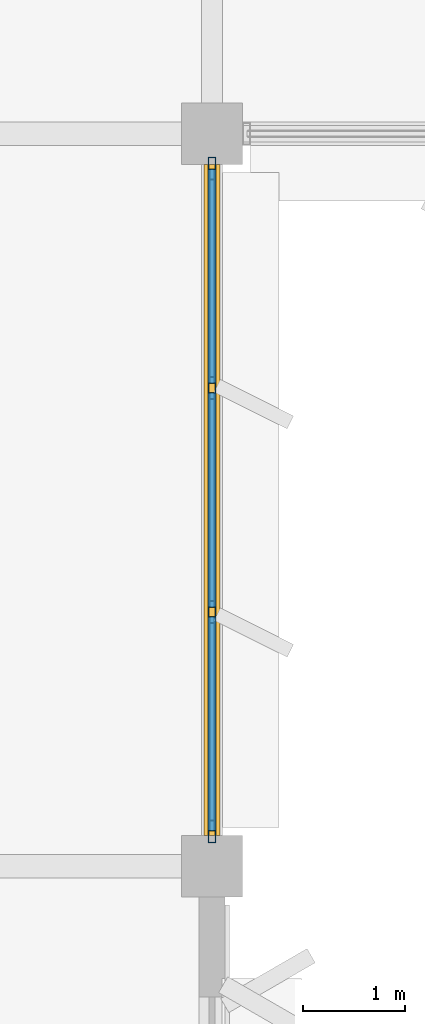
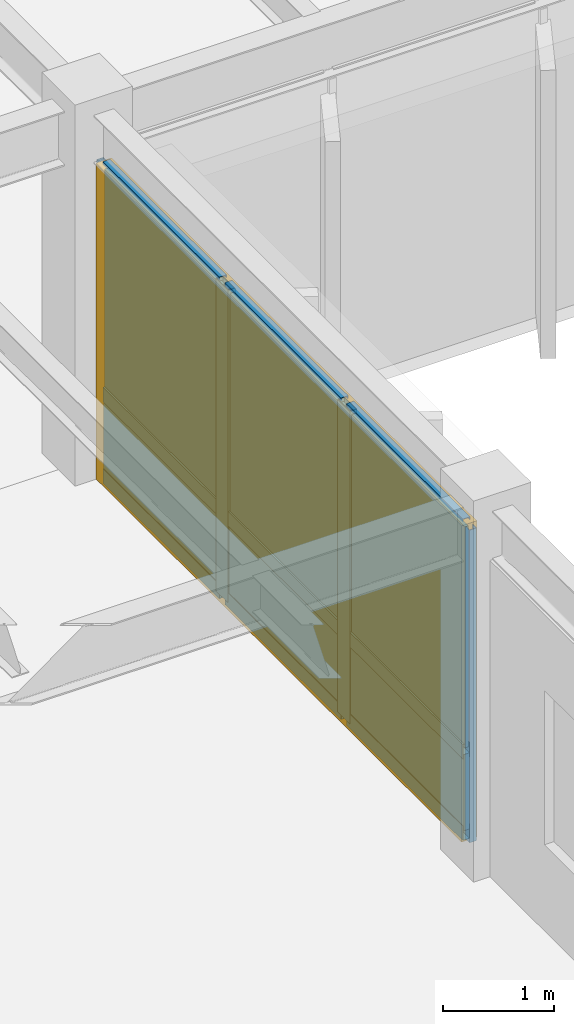
# One storey, part 53 of 85: 13 members, 6 plates, 1 curtain wall.
"""IFC4 building model written with IfcOpenShell, lengths in metres."""

from ifc_helpers import new_model, si_unit, direction, frame, origin, origin_2d, place, context, subcontext, project, spatial, rectangle, hollow_rectangle, extrude, material, layer, layer_set, material_profile, profile_set, type_object, element, aggregate, save


model = new_model("IFC4")

# Units and contexts
model_context = context("Model", 3, precision=1e-05, world=origin(), true_north=direction((0.0, 1.0)))
body_context = subcontext(model_context, "Body", "Model", "MODEL_VIEW")
ifc_project = project(units=[si_unit("LENGTHUNIT", "METRE"), si_unit("AREAUNIT", "SQUARE_METRE"), si_unit("VOLUMEUNIT", "CUBIC_METRE"), si_unit("PLANEANGLEUNIT", "RADIAN"), si_unit("MASSUNIT", "GRAM", prefix="KILO")], contexts=[model_context])

# Member
ifc_material_1 = material(Name="Anodized Aluminium 6063-T6", Category="aluminium")
ifc_material_profile_1 = material_profile(ifc_material_1, hollow_rectangle(XDim=0.074951171875, YDim=0.219970703125, WallThickness=0.0048828125, at=origin_2d()), Name="ALU 75x220x5")
ifc_profile_set_1 = profile_set([ifc_material_profile_1], Name="Anodized Aluminium 6063-T6")
member_type_1 = type_object("IfcMemberType", Name="CWM-75X180", PredefinedType="MULLION", material=ifc_profile_set_1)
site_placement = place(None, origin())
building_placement = place(site_placement, origin())
storey_placement = place(building_placement, frame((0.0, 0.0, 9.89990234375)))
member_1_placement = place(storey_placement, frame((36.0, 78.860107421875, 0.02001953125), z_axis=(0.0, 0.0, 1.0), x_axis=(1.0, 0.0, 0.0)))
member_1 = element("IfcMember", 1, at=member_1_placement, type_object=member_type_1, Name="Curtain wall mullion CW-L03-04-10-E-00", PredefinedType="MULLION", context=body_context, shape_type="SweptSolid", body=[
    extrude(hollow_rectangle(XDim=0.074951171875, YDim=0.219970703125, WallThickness=0.0048828125, at=origin_2d()), origin(), (0.0, 0.0, 1.0), 3.447021484375),
])

member_2_placement = place(storey_placement, frame((36.0, 76.699951171875, 0.02001953125), z_axis=(0.0, 0.0, 1.0), x_axis=(1.0, 0.0, 0.0)))
member_2 = element("IfcMember", 2, at=member_2_placement, type_object=member_type_1, Name="Curtain wall mullion CW-L03-04-10-E-01", PredefinedType="MULLION", context=body_context, shape_type="SweptSolid", body=[
    extrude(hollow_rectangle(XDim=0.074951171875, YDim=0.219970703125, WallThickness=0.0048828125, at=origin_2d()), origin(), (0.0, 0.0, 1.0), 3.447021484375),
])

member_3_placement = place(storey_placement, frame((36.0, 74.5, 0.02001953125), z_axis=(0.0, 0.0, 1.0), x_axis=(1.0, 0.0, 0.0)))
member_3 = element("IfcMember", 3, at=member_3_placement, type_object=member_type_1, Name="Curtain wall mullion CW-L03-04-10-E-02", PredefinedType="MULLION", context=body_context, shape_type="SweptSolid", body=[
    extrude(hollow_rectangle(XDim=0.074951171875, YDim=0.219970703125, WallThickness=0.0048828125, at=origin_2d()), origin(), (0.0, 0.0, 1.0), 3.447021484375),
])

member_4_placement = place(storey_placement, frame((36.0, 72.340087890625, 0.02001953125), z_axis=(0.0, 0.0, 1.0), x_axis=(1.0, 0.0, 0.0)))
member_4 = element("IfcMember", 4, at=member_4_placement, type_object=member_type_1, Name="Curtain wall mullion CW-L03-04-10-E-03", PredefinedType="MULLION", context=body_context, shape_type="SweptSolid", body=[
    extrude(hollow_rectangle(XDim=0.074951171875, YDim=0.219970703125, WallThickness=0.0048828125, at=origin_2d()), origin(), (0.0, 0.0, 1.0), 3.447021484375),
])

ifc_material_profile_2 = material_profile(ifc_material_1, hollow_rectangle(XDim=0.074951171875, YDim=0.159912109375, WallThickness=0.00390625, at=origin_2d()), Name="ALU 75x160x4")
ifc_profile_set_2 = profile_set([ifc_material_profile_2], Name="Anodized Aluminium 6063-T6")
member_type_2 = type_object("IfcMemberType", Name="CWT-75X150", PredefinedType="USERDEFINED", material=ifc_profile_set_2)
member_5_placement = place(storey_placement, frame((36.0, 78.85009765625, 0.050048828125), z_axis=(0.0, -1.0, 0.0), x_axis=(1.0, 0.0, 0.0)))
member_5 = element("IfcMember", 5, at=member_5_placement, type_object=member_type_2, Name="Curtain wall transom CW-L03-04-10-E-1.01", ObjectType="TRANSOM", PredefinedType="USERDEFINED", context=body_context, shape_type="SweptSolid", body=[
    extrude(hollow_rectangle(XDim=0.074951171875, YDim=0.159912109375, WallThickness=0.00390625, at=origin_2d()), origin(), (0.0, 0.0, 1.0), 2.10009765625),
])

member_6_placement = place(storey_placement, frame((36.0, 76.64990234375, 0.050048828125), z_axis=(0.0, -1.0, 0.0), x_axis=(1.0, 0.0, 0.0)))
member_6 = element("IfcMember", 6, at=member_6_placement, type_object=member_type_2, Name="Curtain wall transom CW-L03-04-10-E-1.02", ObjectType="TRANSOM", PredefinedType="USERDEFINED", context=body_context, shape_type="SweptSolid", body=[
    extrude(hollow_rectangle(XDim=0.074951171875, YDim=0.159912109375, WallThickness=0.00390625, at=origin_2d()), origin(), (0.0, 0.0, 1.0), 2.099853515625),
])

member_7_placement = place(storey_placement, frame((36.0, 74.449951171875, 0.050048828125), z_axis=(0.0, -1.0, 0.0), x_axis=(1.0, 0.0, 0.0)))
member_7 = element("IfcMember", 7, at=member_7_placement, type_object=member_type_2, Name="Curtain wall transom CW-L03-04-10-E-1.03", ObjectType="TRANSOM", PredefinedType="USERDEFINED", context=body_context, shape_type="SweptSolid", body=[
    extrude(hollow_rectangle(XDim=0.074951171875, YDim=0.159912109375, WallThickness=0.00390625, at=origin_2d()), origin(), (0.0, 0.0, 1.0), 2.099853515625),
])

member_8_placement = place(storey_placement, frame((36.0, 78.85009765625, 0.9501953125), z_axis=(0.0, -1.0, 0.0), x_axis=(1.0, 0.0, 0.0)))
member_8 = element("IfcMember", 8, at=member_8_placement, type_object=member_type_2, Name="Curtain wall transom CW-L03-04-10-E-2.01", ObjectType="TRANSOM", PredefinedType="USERDEFINED", context=body_context, shape_type="SweptSolid", body=[
    extrude(hollow_rectangle(XDim=0.074951171875, YDim=0.159912109375, WallThickness=0.00390625, at=origin_2d()), origin(), (0.0, 0.0, 1.0), 2.10009765625),
])

member_9_placement = place(storey_placement, frame((36.0, 76.64990234375, 0.9501953125), z_axis=(0.0, -1.0, 0.0), x_axis=(1.0, 0.0, 0.0)))
member_9 = element("IfcMember", 9, at=member_9_placement, type_object=member_type_2, Name="Curtain wall transom CW-L03-04-10-E-2.02", ObjectType="TRANSOM", PredefinedType="USERDEFINED", context=body_context, shape_type="SweptSolid", body=[
    extrude(hollow_rectangle(XDim=0.074951171875, YDim=0.159912109375, WallThickness=0.00390625, at=origin_2d()), origin(), (0.0, 0.0, 1.0), 2.099853515625),
])

member_10_placement = place(storey_placement, frame((36.0, 74.449951171875, 0.9501953125), z_axis=(0.0, -1.0, 0.0), x_axis=(1.0, 0.0, 0.0)))
member_10 = element("IfcMember", 10, at=member_10_placement, type_object=member_type_2, Name="Curtain wall transom CW-L03-04-10-E-2.03", ObjectType="TRANSOM", PredefinedType="USERDEFINED", context=body_context, shape_type="SweptSolid", body=[
    extrude(hollow_rectangle(XDim=0.074951171875, YDim=0.159912109375, WallThickness=0.00390625, at=origin_2d()), origin(), (0.0, 0.0, 1.0), 2.099853515625),
])

member_11_placement = place(storey_placement, frame((36.0, 78.85009765625, 3.43701171875), z_axis=(0.0, -1.0, 0.0), x_axis=(1.0, 0.0, 0.0)))
member_11 = element("IfcMember", 11, at=member_11_placement, type_object=member_type_2, Name="Curtain wall transom CW-L03-04-10-E-3.01", ObjectType="TRANSOM", PredefinedType="USERDEFINED", context=body_context, shape_type="SweptSolid", body=[
    extrude(hollow_rectangle(XDim=0.074951171875, YDim=0.159912109375, WallThickness=0.00390625, at=origin_2d()), origin(), (0.0, 0.0, 1.0), 2.10009765625),
])

member_12_placement = place(storey_placement, frame((36.0, 76.64990234375, 3.43701171875), z_axis=(0.0, -1.0, 0.0), x_axis=(1.0, 0.0, 0.0)))
member_12 = element("IfcMember", 12, at=member_12_placement, type_object=member_type_2, Name="Curtain wall transom CW-L03-04-10-E-3.02", ObjectType="TRANSOM", PredefinedType="USERDEFINED", context=body_context, shape_type="SweptSolid", body=[
    extrude(hollow_rectangle(XDim=0.074951171875, YDim=0.159912109375, WallThickness=0.00390625, at=origin_2d()), origin(), (0.0, 0.0, 1.0), 2.099853515625),
])

member_13_placement = place(storey_placement, frame((36.0, 74.449951171875, 3.43701171875), z_axis=(0.0, -1.0, 0.0), x_axis=(1.0, 0.0, 0.0)))
member_13 = element("IfcMember", 13, at=member_13_placement, type_object=member_type_2, Name="Curtain wall transom CW-L03-04-10-E-3.03", ObjectType="TRANSOM", PredefinedType="USERDEFINED", context=body_context, shape_type="SweptSolid", body=[
    extrude(hollow_rectangle(XDim=0.074951171875, YDim=0.159912109375, WallThickness=0.00390625, at=origin_2d()), origin(), (0.0, 0.0, 1.0), 2.099853515625),
])

# Plate
ifc_material_2 = material(Name="Acoustic Laminated Low-E Glazing", Category="glass")
ifc_layer_1 = layer(ifc_material_2, 0.0439453125)
ifc_layer_set_1 = layer_set([ifc_layer_1], Name="Acoustic Laminated Low-E Glazing")
plate_type_1 = type_object("IfcPlateType", Name="CWP-IGU-44", PredefinedType="CURTAIN_PANEL", material=ifc_layer_set_1)
plate_1_placement = place(storey_placement, frame((36.0, 77.800048828125, 0.989990234375), z_axis=(0.0, 0.0, 1.0), x_axis=(0.0, -1.0, 0.0)))
plate_1 = element("IfcPlate", 14, at=plate_1_placement, type_object=plate_type_1, Name="Curtain wall vision glazing CW-L03-04-10-E-01", PredefinedType="CURTAIN_PANEL", context=body_context, shape_type="SweptSolid", body=[
    extrude(rectangle(XDim=2.110107421875, YDim=0.0400390625, at=origin_2d()), origin(), (0.0, 0.0, 1.0), 2.43701171875),
])

plate_2_placement = place(storey_placement, frame((36.0, 75.60009765625, 0.989990234375), z_axis=(0.0, 0.0, 1.0), x_axis=(0.0, -1.0, 0.0)))
plate_2 = element("IfcPlate", 15, at=plate_2_placement, type_object=plate_type_1, Name="Curtain wall vision glazing CW-L03-04-10-E-02", PredefinedType="CURTAIN_PANEL", context=body_context, shape_type="SweptSolid", body=[
    extrude(rectangle(XDim=2.110107421875, YDim=0.0400390625, at=origin_2d()), origin(), (0.0, 0.0, 1.0), 2.43701171875),
])

plate_3_placement = place(storey_placement, frame((36.0, 73.39990234375, 0.989990234375), z_axis=(0.0, 0.0, 1.0), x_axis=(0.0, -1.0, 0.0)))
plate_3 = element("IfcPlate", 16, at=plate_3_placement, type_object=plate_type_1, Name="Curtain wall vision glazing CW-L03-04-10-E-03", PredefinedType="CURTAIN_PANEL", context=body_context, shape_type="SweptSolid", body=[
    extrude(rectangle(XDim=2.110107421875, YDim=0.0400390625, at=origin_2d()), origin(), (0.0, 0.0, 1.0), 2.43701171875),
])

ifc_material_3 = material(Name="Insulated Stone-Composite Spandrel", Category="masonry")
ifc_layer_2 = layer(ifc_material_3, 0.068115234375)
ifc_layer_set_2 = layer_set([ifc_layer_2], Name="Insulated Stone-Composite Spandrel")
plate_type_2 = type_object("IfcPlateType", Name="CWP-SPN-68", PredefinedType="CURTAIN_PANEL", material=ifc_layer_set_2)
plate_4_placement = place(storey_placement, frame((36.0, 77.800048828125, 0.080078125), z_axis=(0.0, 0.0, 1.0), x_axis=(0.0, -1.0, 0.0)))
plate_4 = element("IfcPlate", 17, at=plate_4_placement, type_object=plate_type_2, Name="Curtain wall spandrel panel CW-L03-04-10-E-01", PredefinedType="CURTAIN_PANEL", context=body_context, shape_type="SweptSolid", body=[
    extrude(rectangle(XDim=2.110107421875, YDim=0.06005859375, at=origin_2d()), origin(), (0.0, 0.0, 1.0), 0.840087890625),
])

plate_5_placement = place(storey_placement, frame((36.0, 75.60009765625, 0.080078125), z_axis=(0.0, 0.0, 1.0), x_axis=(0.0, -1.0, 0.0)))
plate_5 = element("IfcPlate", 18, at=plate_5_placement, type_object=plate_type_2, Name="Curtain wall spandrel panel CW-L03-04-10-E-02", PredefinedType="CURTAIN_PANEL", context=body_context, shape_type="SweptSolid", body=[
    extrude(rectangle(XDim=2.110107421875, YDim=0.06005859375, at=origin_2d()), origin(), (0.0, 0.0, 1.0), 0.840087890625),
])

plate_6_placement = place(storey_placement, frame((36.0, 73.39990234375, 0.080078125), z_axis=(0.0, 0.0, 1.0), x_axis=(0.0, -1.0, 0.0)))
plate_6 = element("IfcPlate", 19, at=plate_6_placement, type_object=plate_type_2, Name="Curtain wall spandrel panel CW-L03-04-10-E-03", PredefinedType="CURTAIN_PANEL", context=body_context, shape_type="SweptSolid", body=[
    extrude(rectangle(XDim=2.110107421875, YDim=0.06005859375, at=origin_2d()), origin(), (0.0, 0.0, 1.0), 0.840087890625),
])

# Site, building, storey
site = spatial("IfcSite", under=ifc_project, at=site_placement, CompositionType="ELEMENT")
building = spatial("IfcBuilding", under=site, at=building_placement, Name="Sillqori Civic Hall", CompositionType="ELEMENT")
storey = spatial("IfcBuildingStorey", under=building, at=storey_placement, Name="L03", CompositionType="ELEMENT", Elevation=9.89990234375)

# Curtain wall
ifc_material_4 = material(Name="Anodized Aluminium Curtain Wall System", Category="aluminium")
curtain_wall_type = type_object("IfcCurtainWallType", Name="CW-GL-400", PredefinedType="NOTDEFINED", material=ifc_material_4)
curtain_wall_placement = place(storey_placement, frame((36.0, 75.60009765625, 0.0), z_axis=(0.0, 0.0, 1.0), x_axis=(0.0, -1.0, 0.0)))
curtain_wall = element("IfcCurtainWall", 20, at=curtain_wall_placement, inside=storey, type_object=curtain_wall_type, Name="L03 unitised curtain wall CW-L03-04-10-E", PredefinedType="NOTDEFINED", context=body_context, shape_type="SweptSolid", body=[
    extrude(rectangle(XDim=6.60009765625, YDim=0.159912109375, at=origin_2d()), origin(), (0.0, 0.0, 1.0), 3.487060546875),
])

aggregate(curtain_wall, [member_1, member_2, member_3, member_4, member_5, member_6, member_7, member_8, member_9, member_10, member_11, member_12, member_13, plate_4, plate_1, plate_5, plate_2, plate_6, plate_3])

save(model, "model.ifc")
